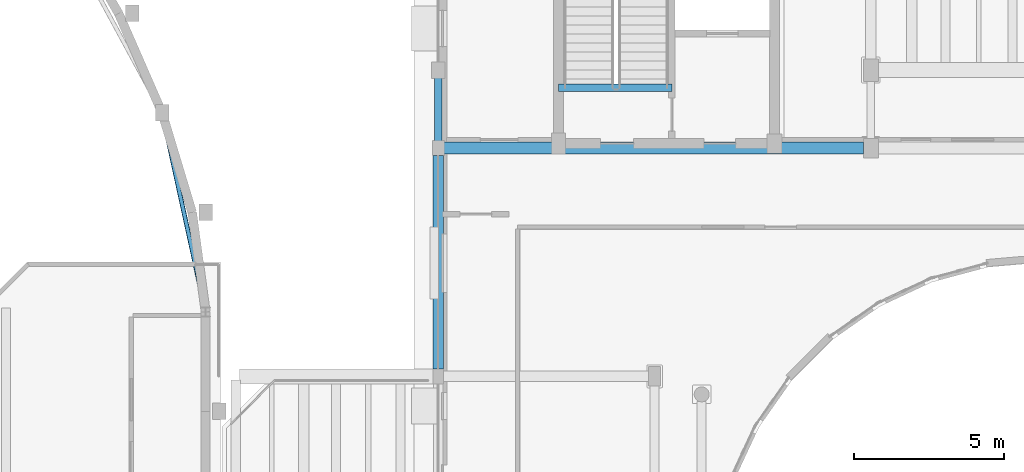
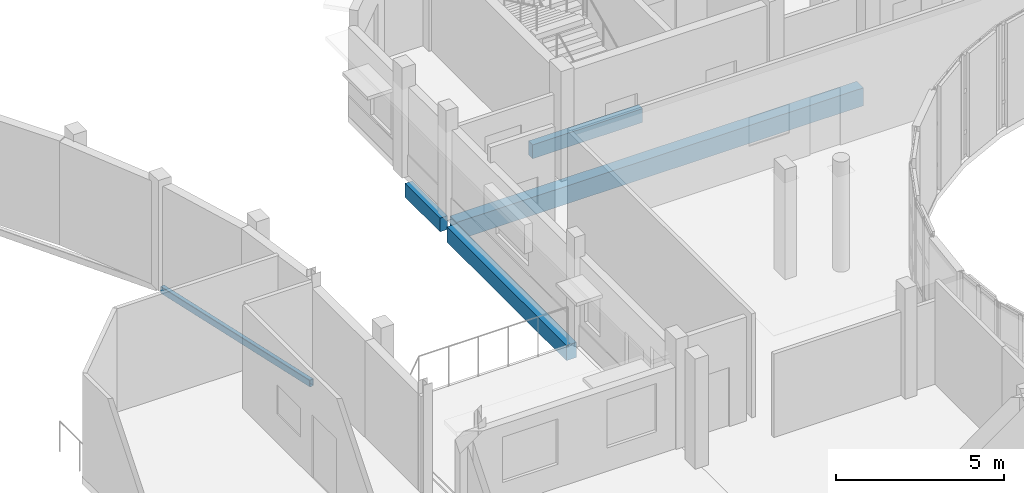
# One storey, part 22 of 92: 5 beams.
"""IFC4 building model written with IfcOpenShell, lengths in metres."""

from ifc_helpers import new_model, si_unit, direction, frame, origin, origin_2d, place, context, subcontext, project, spatial, rectangle, hollow_rectangle, extrude, material, material_profile, profile_set, type_object, element, save


model = new_model("IFC4")

# Units and contexts
model_context = context("Model", 3, precision=1e-05, world=origin(), true_north=direction((0.0, 1.0)))
body_context = subcontext(model_context, "Body", "Model", "MODEL_VIEW")
ifc_project = project(units=[si_unit("LENGTHUNIT", "METRE"), si_unit("AREAUNIT", "SQUARE_METRE"), si_unit("VOLUMEUNIT", "CUBIC_METRE"), si_unit("PLANEANGLEUNIT", "RADIAN"), si_unit("MASSUNIT", "GRAM", prefix="KILO")], contexts=[model_context])

# Site, building, storey
site_placement = place(None, origin())
site = spatial("IfcSite", under=ifc_project, at=site_placement, CompositionType="ELEMENT")
building_placement = place(site_placement, origin())
building = spatial("IfcBuilding", under=site, at=building_placement, Name="Kelanivale Promenade Academy", CompositionType="ELEMENT")
storey_placement = place(building_placement, frame((0.0, 0.0, 8.199951171875)))
storey = spatial("IfcBuildingStorey", under=building, at=storey_placement, Name="L02", CompositionType="ELEMENT", Elevation=8.199951171875)

# Beams
ifc_material_1 = material(Name="Concrete C35/45", Category="concrete")
ifc_material_profile_1 = material_profile(ifc_material_1, rectangle(XDim=0.39990234375, YDim=0.64990234375, at=origin_2d()), Name="RC-BM 400x650")
ifc_profile_set_1 = profile_set([ifc_material_profile_1], Name="Concrete C35/45")
beam_type_1 = type_object("IfcBeamType", Name="BM-01 RC-BM 400x650", PredefinedType="BEAM", material=ifc_profile_set_1)
beam_1_placement = place(storey_placement, frame((43.39501953125, 71.60009765625, -0.544921875), z_axis=(1.0, 0.0, 0.0), x_axis=(0.0, 1.0, 0.0)))
element("IfcBeam", 1, at=beam_1_placement, inside=storey, type_object=beam_type_1, Name="L02 girder BM-01", PredefinedType="BEAM", context=body_context, shape_type="SweptSolid", body=[
    extrude(rectangle(XDim=0.39990234375, YDim=0.64990234375, at=origin_2d()), origin(), (0.0, 0.0, 1.0), 13.9599609375),
])
ifc_material_profile_2 = material_profile(ifc_material_1, rectangle(XDim=0.35009765625, YDim=0.550048828125, at=origin_2d()), Name="RC-BM 350x550")
ifc_profile_set_2 = profile_set([ifc_material_profile_2], Name="Concrete C35/45")
beam_type_2 = type_object("IfcBeamType", Name="JS-06 RC-BM 350x550", PredefinedType="JOIST", material=ifc_profile_set_2)
beam_2_placement = place(storey_placement, frame((43.199951171875, 64.2451171875, -0.494873046875), z_axis=(0.0, 1.0, 0.0), x_axis=(-1.0, 0.0, 0.0)))
element("IfcBeam", 2, at=beam_2_placement, inside=storey, type_object=beam_type_2, Name="L02 beam JS-06", PredefinedType="JOIST", context=body_context, shape_type="SweptSolid", body=[
    extrude(rectangle(XDim=0.35009765625, YDim=0.550048828125, at=origin_2d()), origin(), (0.0, 0.0, 1.0), 7.10986328125),
])
ifc_material_profile_3 = material_profile(ifc_material_1, rectangle(XDim=0.25, YDim=0.5, at=origin_2d()), Name="RC-BM 250x500")
ifc_profile_set_3 = profile_set([ifc_material_profile_3], Name="Concrete C35/45")
beam_type_3 = type_object("IfcBeamType", Name="LN-02 RC-BM 250x500", PredefinedType="LINTEL", material=ifc_profile_set_3)
beam_3_placement = place(storey_placement, frame((43.199951171875, 71.844970703125, -0.469970703125), z_axis=(0.0, 1.0, 0.0), x_axis=(-1.0, 0.0, 0.0)))
element("IfcBeam", 3, at=beam_3_placement, inside=storey, type_object=beam_type_3, Name="L02 beam LN-02", PredefinedType="LINTEL", context=body_context, shape_type="SweptSolid", body=[
    extrude(rectangle(XDim=0.25, YDim=0.5, at=origin_2d()), origin(), (0.0, 0.0, 1.0), 2.0849609375),
])
beam_4_placement = place(storey_placement, frame((47.199951171875, 73.60498046875, -0.25), z_axis=(1.0, 0.0, 0.0), x_axis=(0.0, 1.0, 0.0)))
element("IfcBeam", 4, at=beam_4_placement, inside=storey, type_object=beam_type_3, Name="CORE-4 stair arrival trimmer beam L02", PredefinedType="LINTEL", context=body_context, shape_type="SweptSolid", body=[
    extrude(rectangle(XDim=0.25, YDim=0.5, at=origin_2d()), origin(), (0.0, 0.0, 1.0), 3.775146484375),
])
ifc_material_2 = material(Name="Steel S355", Category="steel")
ifc_material_profile_4 = material_profile(ifc_material_2, hollow_rectangle(XDim=0.14990234375, YDim=0.25, WallThickness=0.010009765625, InnerFilletRadius=0.010009765625, OuterFilletRadius=0.02001953125, at=origin_2d()), Name="RHS 250x150x10.0")
ifc_profile_set_4 = profile_set([ifc_material_profile_4], Name="Steel S355")
beam_type_4 = type_object("IfcBeamType", Name="SB-13 RHS 250x150x10.0", PredefinedType="SPANDREL", material=ifc_profile_set_4)
beam_5_placement = place(storey_placement, frame((35.428955078125, 66.240966796875, -0.125), z_axis=(-0.213831783118, 0.976870497317, 0.0), x_axis=(-0.976870497317, -0.213831783118, 0.0)))
element("IfcBeam", 5, at=beam_5_placement, inside=storey, type_object=beam_type_4, Name="Sports Hall Crescent Pavilion inner kidney ring beam SB-13", PredefinedType="SPANDREL", context=body_context, shape_type="SweptSolid", body=[
    extrude(hollow_rectangle(XDim=0.14990234375, YDim=0.25, WallThickness=0.010009765625, InnerFilletRadius=0.010009765625, OuterFilletRadius=0.02001953125, at=origin_2d()), origin(), (0.0, 0.0, 1.0), 6.58447265625),
])

save(model, "model.ifc")
